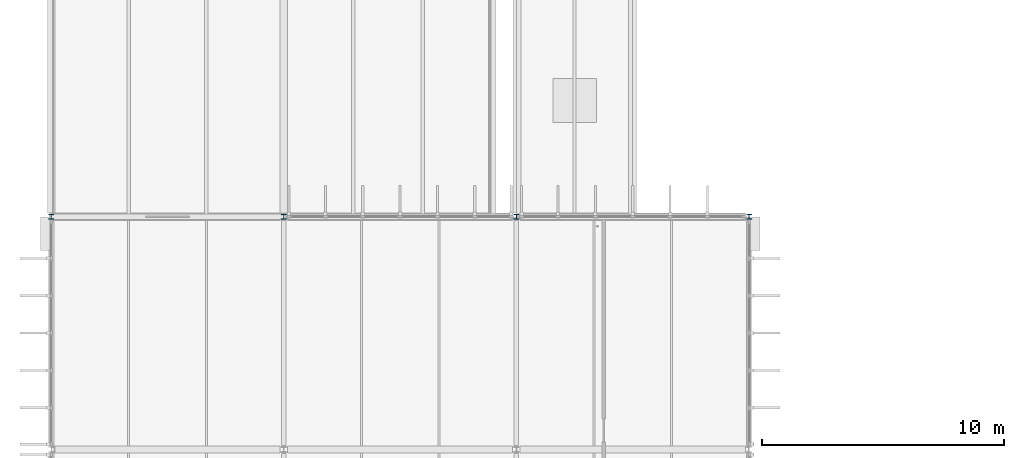
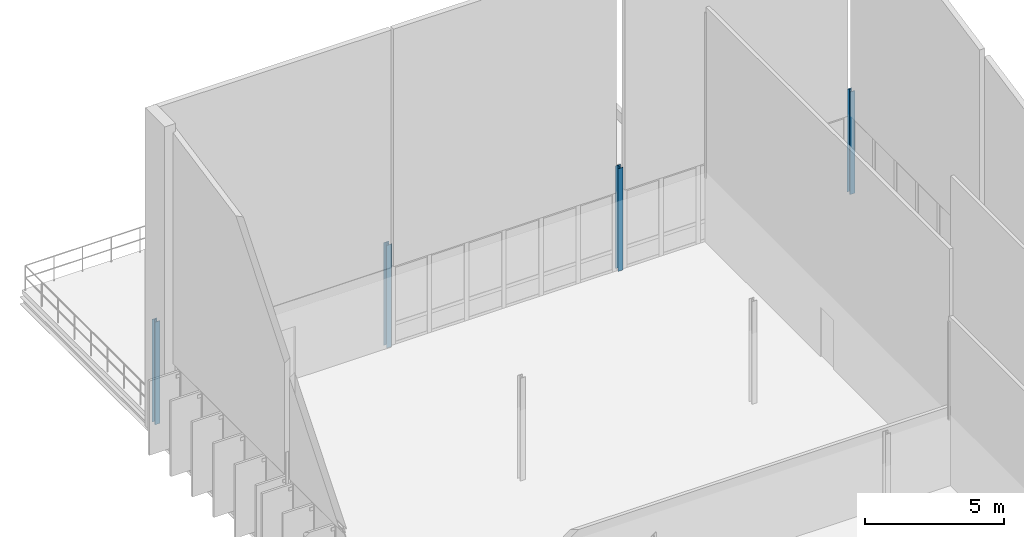
# One storey, part 11 of 93: 4 columns.
"""IFC4 building model written with IfcOpenShell, lengths in metres."""

from ifc_helpers import new_model, si_unit, direction, frame, origin, origin_2d, place, context, subcontext, project, spatial, i_section, extrude, material, material_profile, profile_set, type_object, element, save


model = new_model("IFC4")

# Units and contexts
model_context = context("Model", 3, precision=1e-05, world=origin(), true_north=direction((0.0, 1.0)))
body_context = subcontext(model_context, "Body", "Model", "MODEL_VIEW")
ifc_project = project(units=[si_unit("LENGTHUNIT", "METRE"), si_unit("AREAUNIT", "SQUARE_METRE"), si_unit("VOLUMEUNIT", "CUBIC_METRE"), si_unit("PLANEANGLEUNIT", "RADIAN"), si_unit("MASSUNIT", "GRAM", prefix="KILO")], contexts=[model_context])

# Site, building, storey
site_placement = place(None, origin())
site = spatial("IfcSite", under=ifc_project, at=site_placement, CompositionType="ELEMENT")
building_placement = place(site_placement, origin())
building = spatial("IfcBuilding", under=site, at=building_placement, Name="Dunescarp Central Library", CompositionType="ELEMENT")
storey_placement = place(building_placement, frame((0.0, 0.0, 14.10009765625)))
storey = spatial("IfcBuildingStorey", under=building, at=storey_placement, Name="L03", CompositionType="ELEMENT", Elevation=14.10009765625)

# Columns
ifc_material = material(Name="Steel S355JR", Category="steel")
ifc_material_profile = material_profile(ifc_material, i_section(OverallWidth=0.206298828125, OverallDepth=0.2158203125, WebThickness=0.010009765625, FlangeThickness=0.017333984375, at=origin_2d()), Name="UC 203x203x71")
ifc_profile_set = profile_set([ifc_material_profile], Name="Steel S355JR")
column_type = type_object("IfcColumnType", Name="STR-COL-UC203X71", PredefinedType="COLUMN", material=ifc_profile_set)
for number, where, z_axis, x_axis, name in (
    (1, (0.0, 89.60009765625, 0.0), (0.0, 0.0, 1.0), (1.0, 0.0, 0.0), "L03 column V4M-0-896"),
    (2, (9.60009765625, 89.60009765625, 0.0), (0.0, 0.0, 1.0), (1.0, 0.0, 0.0), "L03 column V4M-96-896"),
    (3, (19.199951171875, 89.60009765625, 0.0), (0.0, 0.0, 1.0), (1.0, 0.0, 0.0), "L03 column V4M-192-896"),
    (4, (28.800048828125, 89.60009765625, 0.0), (0.0, 0.0, 1.0), (1.0, 0.0, 0.0), "L03 column V4M-288-896"),
):
    element("IfcColumn", number, at=place(storey_placement, frame(where, z_axis=z_axis, x_axis=x_axis)), inside=storey, type_object=column_type, Name=name, PredefinedType="COLUMN", context=body_context, shape_type="SweptSolid", body=[
        extrude(i_section(OverallWidth=0.206298828125, OverallDepth=0.2158203125, WebThickness=0.010009765625, FlangeThickness=0.017333984375, at=origin_2d()), origin(), (0.0, 0.0, 1.0), 4.5),
    ])

save(model, "model.ifc")
